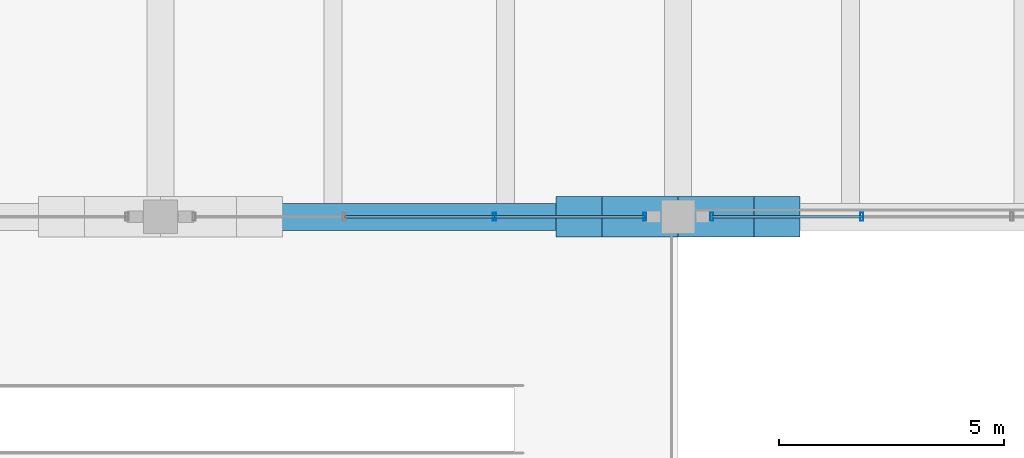
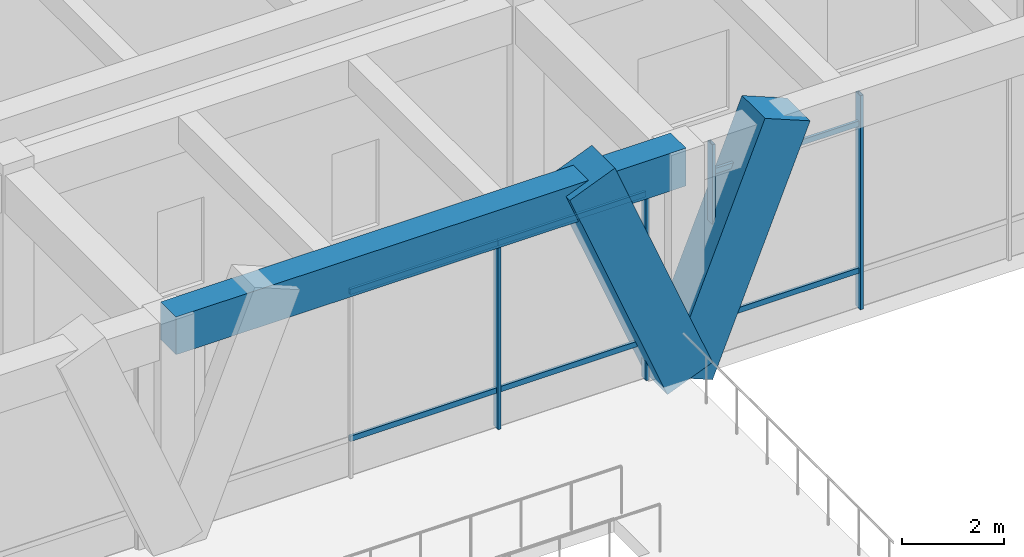
# One storey, part 102 of 148: 12 members, 1 beam, 2 elements without a shape of their own.
"""IFC4 building model written with IfcOpenShell, lengths in metres."""

from ifc_helpers import new_model, si_unit, direction, frame, origin, origin_2d, place, context, subcontext, project, spatial, rectangle, hollow_rectangle, extrude, material, material_profile, profile_set, type_object, element, aggregate, save


model = new_model("IFC4")

# Units and contexts
model_context = context("Model", 3, precision=1e-05, world=origin(), true_north=direction((0.0, 1.0)))
body_context = subcontext(model_context, "Body", "Model", "MODEL_VIEW")
ifc_project = project(units=[si_unit("LENGTHUNIT", "METRE"), si_unit("AREAUNIT", "SQUARE_METRE"), si_unit("VOLUMEUNIT", "CUBIC_METRE"), si_unit("PLANEANGLEUNIT", "RADIAN"), si_unit("MASSUNIT", "GRAM", prefix="KILO")], contexts=[model_context])

# Site, building, storey
site_placement = place(None, origin())
site = spatial("IfcSite", under=ifc_project, at=site_placement, CompositionType="ELEMENT")
building_placement = place(site_placement, origin())
building = spatial("IfcBuilding", under=site, at=building_placement, Name="Ologun Quay Terminus", CompositionType="ELEMENT")
storey_placement = place(building_placement, frame((0.0, 0.0, 8.39990234375)))
storey = spatial("IfcBuildingStorey", under=building, at=storey_placement, Name="L02", CompositionType="ELEMENT", Elevation=8.39990234375)

# Curtain wall, members
ifc_material_1 = material(Name="Aluminium 6063-T6", Category="aluminium")
curtain_wall_type = type_object("IfcCurtainWallType", Name="Train Shed North Clerestory Curtain Wall 10700x4850", PredefinedType="USERDEFINED", material=ifc_material_1)
curtain_wall_1_placement = place(storey_placement, origin())
curtain_wall_1 = element("IfcCurtainWall", 1, at=curtain_wall_1_placement, inside=storey, type_object=curtain_wall_type, Name="CW-09 Curtain Wall CW-L02-069", ObjectType="UNITISED CURTAIN WALL", PredefinedType="USERDEFINED")
ifc_material_2 = material(Name="Aluminium 6063-T6", Category="aluminium")
ifc_material_profile_1 = material_profile(ifc_material_2, hollow_rectangle(XDim=0.070068359375, YDim=0.179931640625, WallThickness=0.0048828125, at=origin_2d()), Name="ALU 180x70x5")
ifc_profile_set_1 = profile_set([ifc_material_profile_1], Name="Aluminium 6063-T6")
member_type_1 = type_object("IfcMemberType", Name="Concourse Clerestory Mullion 180x70", PredefinedType="MULLION", material=ifc_profile_set_1)
member_1_placement = place(storey_placement, frame((145.418212890625, 78.0, 0.0), z_axis=(0.0, 0.0, 1.0), x_axis=(1.0, 0.0, 0.0)))
member_1 = element("IfcMember", 2, at=member_1_placement, type_object=member_type_1, Name="CW-L02-069 Mullion 3", PredefinedType="MULLION", context=body_context, shape_type="SweptSolid", body=[
    extrude(hollow_rectangle(XDim=0.070068359375, YDim=0.179931640625, WallThickness=0.0048828125, at=origin_2d()), origin(), (0.0, 0.0, 1.0), 5.10009765625),
])
member_2_placement = place(storey_placement, frame((148.7548828125, 78.0, 0.0), z_axis=(0.0, 0.0, 1.0), x_axis=(1.0, 0.0, 0.0)))
member_2 = element("IfcMember", 3, at=member_2_placement, type_object=member_type_1, Name="CW-L02-069 Mullion 4", PredefinedType="MULLION", context=body_context, shape_type="SweptSolid", body=[
    extrude(hollow_rectangle(XDim=0.070068359375, YDim=0.179931640625, WallThickness=0.0048828125, at=origin_2d()), origin(), (0.0, 0.0, 1.0), 5.10009765625),
])

curtain_wall_2_placement = place(storey_placement, origin())
curtain_wall_2 = element("IfcCurtainWall", 4, at=curtain_wall_2_placement, inside=storey, type_object=curtain_wall_type, Name="CW-09 Curtain Wall CW-L02-071", ObjectType="UNITISED CURTAIN WALL", PredefinedType="USERDEFINED")
member_3_placement = place(storey_placement, frame((150.2451171875, 78.0, 0.0), z_axis=(0.0, 0.0, 1.0), x_axis=(1.0, 0.0, 0.0)))
member_3 = element("IfcMember", 5, at=member_3_placement, type_object=member_type_1, Name="CW-L02-071 Mullion 1", PredefinedType="MULLION", context=body_context, shape_type="SweptSolid", body=[
    extrude(hollow_rectangle(XDim=0.070068359375, YDim=0.179931640625, WallThickness=0.0048828125, at=origin_2d()), origin(), (0.0, 0.0, 1.0), 5.10009765625),
])
member_4_placement = place(storey_placement, frame((153.581787109375, 78.0, 0.0), z_axis=(0.0, 0.0, 1.0), x_axis=(1.0, 0.0, 0.0)))
member_4 = element("IfcMember", 6, at=member_4_placement, type_object=member_type_1, Name="CW-L02-071 Mullion 2", PredefinedType="MULLION", context=body_context, shape_type="SweptSolid", body=[
    extrude(hollow_rectangle(XDim=0.070068359375, YDim=0.179931640625, WallThickness=0.0048828125, at=origin_2d()), origin(), (0.0, 0.0, 1.0), 5.10009765625),
])

# Member
ifc_material_3 = material(Name="Aluminium 6063-T6", Category="aluminium")
ifc_material_profile_2 = material_profile(ifc_material_3, hollow_rectangle(XDim=0.06005859375, YDim=0.1298828125, WallThickness=0.00390625, at=origin_2d()), Name="ALU 130x60x4")
ifc_profile_set_2 = profile_set([ifc_material_profile_2], Name="Aluminium 6063-T6")
member_type_2 = type_object("IfcMemberType", Name="Concourse Clerestory Transom 130x60", PredefinedType="USERDEFINED", material=ifc_profile_set_2)
member_5_placement = place(storey_placement, frame((142.081787109375, 78.0, 0.900146484375), z_axis=(1.0, 0.0, 0.0), x_axis=(0.0, 1.0, 0.0)))
member_5 = element("IfcMember", 7, at=member_5_placement, type_object=member_type_2, Name="CW-L02-069 Transom B2-1", ObjectType="TRANSOM", PredefinedType="USERDEFINED", context=body_context, shape_type="SweptSolid", body=[
    extrude(hollow_rectangle(XDim=0.06005859375, YDim=0.1298828125, WallThickness=0.00390625, at=origin_2d()), origin(), (0.0, 0.0, 1.0), 3.33642578125),
])

member_6_placement = place(storey_placement, frame((142.081787109375, 78.0, 4.400146484375), z_axis=(1.0, 0.0, 0.0), x_axis=(0.0, 1.0, 0.0)))
member_6 = element("IfcMember", 8, at=member_6_placement, type_object=member_type_2, Name="CW-L02-069 Transom B2-2", ObjectType="TRANSOM", PredefinedType="USERDEFINED", context=body_context, shape_type="SweptSolid", body=[
    extrude(hollow_rectangle(XDim=0.06005859375, YDim=0.1298828125, WallThickness=0.00390625, at=origin_2d()), origin(), (0.0, 0.0, 1.0), 3.33642578125),
])

member_7_placement = place(storey_placement, frame((145.418212890625, 78.0, 0.900146484375), z_axis=(1.0, 0.0, 0.0), x_axis=(0.0, 1.0, 0.0)))
member_7 = element("IfcMember", 9, at=member_7_placement, type_object=member_type_2, Name="CW-L02-069 Transom B3-1", ObjectType="TRANSOM", PredefinedType="USERDEFINED", context=body_context, shape_type="SweptSolid", body=[
    extrude(hollow_rectangle(XDim=0.06005859375, YDim=0.1298828125, WallThickness=0.00390625, at=origin_2d()), origin(), (0.0, 0.0, 1.0), 3.336669921875),
])

member_8_placement = place(storey_placement, frame((145.418212890625, 78.0, 4.400146484375), z_axis=(1.0, 0.0, 0.0), x_axis=(0.0, 1.0, 0.0)))
member_8 = element("IfcMember", 10, at=member_8_placement, type_object=member_type_2, Name="CW-L02-069 Transom B3-2", ObjectType="TRANSOM", PredefinedType="USERDEFINED", context=body_context, shape_type="SweptSolid", body=[
    extrude(hollow_rectangle(XDim=0.06005859375, YDim=0.1298828125, WallThickness=0.00390625, at=origin_2d()), origin(), (0.0, 0.0, 1.0), 3.336669921875),
])

aggregate(curtain_wall_1, [member_1, member_2, member_5, member_6, member_7, member_8])

member_9_placement = place(storey_placement, frame((150.2451171875, 78.0, 0.900146484375), z_axis=(1.0, 0.0, 0.0), x_axis=(0.0, 1.0, 0.0)))
member_9 = element("IfcMember", 11, at=member_9_placement, type_object=member_type_2, Name="CW-L02-071 Transom B1-1", ObjectType="TRANSOM", PredefinedType="USERDEFINED", context=body_context, shape_type="SweptSolid", body=[
    extrude(hollow_rectangle(XDim=0.06005859375, YDim=0.1298828125, WallThickness=0.00390625, at=origin_2d()), origin(), (0.0, 0.0, 1.0), 3.336669921875),
])

member_10_placement = place(storey_placement, frame((150.2451171875, 78.0, 4.400146484375), z_axis=(1.0, 0.0, 0.0), x_axis=(0.0, 1.0, 0.0)))
member_10 = element("IfcMember", 12, at=member_10_placement, type_object=member_type_2, Name="CW-L02-071 Transom B1-2", ObjectType="TRANSOM", PredefinedType="USERDEFINED", context=body_context, shape_type="SweptSolid", body=[
    extrude(hollow_rectangle(XDim=0.06005859375, YDim=0.1298828125, WallThickness=0.00390625, at=origin_2d()), origin(), (0.0, 0.0, 1.0), 3.336669921875),
])

aggregate(curtain_wall_2, [member_3, member_4, member_9, member_10])

# Members
ifc_material_4 = material(Name="Concrete C45/55", Category="concrete")
ifc_material_profile_3 = material_profile(ifc_material_4, rectangle(XDim=0.89990234375, YDim=1.10009765625, at=origin_2d()), Name="RC 900x1100")
ifc_profile_set_3 = profile_set([ifc_material_profile_3], Name="Concrete C45/55")
member_type_3 = type_object("IfcMemberType", Name="Sculpted Concrete Arch V-Buttress Strut 900x1100", PredefinedType="STRUT", material=ifc_profile_set_3)
for number, where, z_axis, x_axis, name in (
    (13, (149.5, 78.0, 0.0), (-0.377280927807, 0.0, 0.926098861631), (0.0, -1.0, 0.0), "VS1 Arch V-Buttress West Limb 14/F"),
    (14, (149.5, 78.0, 0.0), (0.377280927807, 0.0, 0.926098861631), (0.0, 1.0, 0.0), "VS1 Arch V-Buttress East Limb 14/F"),
):
    element("IfcMember", number, at=place(storey_placement, frame(where, z_axis=z_axis, x_axis=x_axis)), inside=storey, type_object=member_type_3, Name=name, PredefinedType="STRUT", context=body_context, shape_type="SweptSolid", body=[
        extrude(rectangle(XDim=0.89990234375, YDim=1.10009765625, at=origin_2d()), origin(), (0.0, 0.0, 1.0), 5.8310546875),
    ])

# Beam
ifc_material_5 = material(Name="Concrete C40/50", Category="concrete")
ifc_material_profile_4 = material_profile(ifc_material_5, rectangle(XDim=0.60009765625, YDim=0.89990234375, at=origin_2d()), Name="RC 600x900")
ifc_profile_set_4 = profile_set([ifc_material_profile_4], Name="Concrete C40/50")
beam_type = type_object("IfcBeamType", Name="Station Frame Girder 600x900", PredefinedType="BEAM", material=ifc_profile_set_4)
beam_placement = place(storey_placement, frame((138.0, 78.0, 4.9501953125), z_axis=(1.0, 0.0, 0.0), x_axis=(0.0, 1.0, 0.0)))
element("IfcBeam", 15, at=beam_placement, inside=storey, type_object=beam_type, Name="B3 Beam 13/F L02", PredefinedType="BEAM", context=body_context, shape_type="SweptSolid", body=[
    extrude(rectangle(XDim=0.60009765625, YDim=0.89990234375, at=origin_2d()), origin(), (0.0, 0.0, 1.0), 11.5),
])

save(model, "model.ifc")
